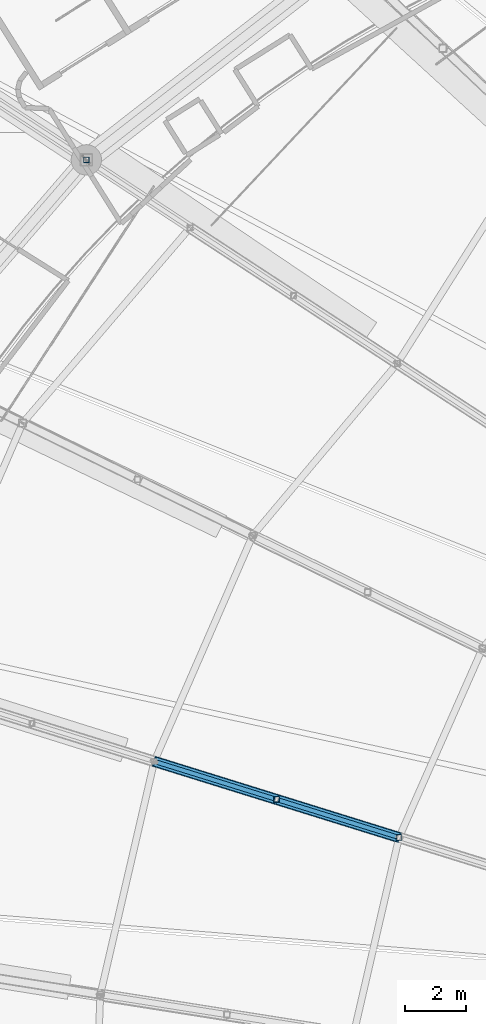
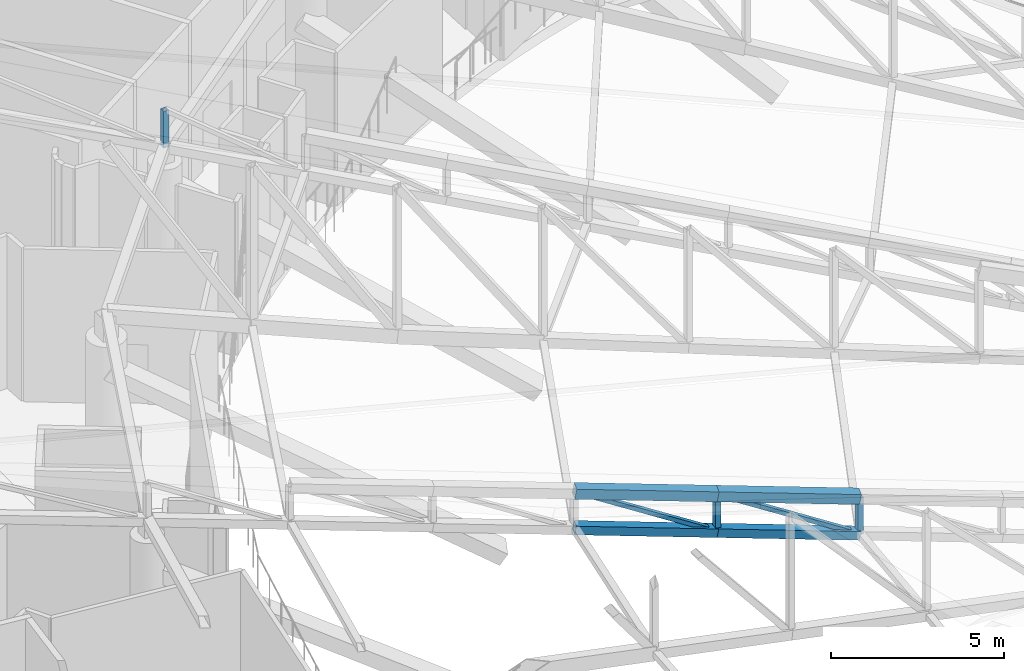
# One storey, part 131 of 344: 9 members.
"""IFC4 building model written with IfcOpenShell, lengths in metres."""

from ifc_helpers import new_model, si_unit, direction, frame, origin, origin_2d, place, context, subcontext, project, spatial, hollow_rectangle, extrude, material, material_profile, profile_set, type_object, element, save


model = new_model("IFC4")

# Units and contexts
model_context = context("Model", 3, precision=1e-05, world=origin(), true_north=direction((0.0, 1.0)))
body_context = subcontext(model_context, "Body", "Model", "MODEL_VIEW")
ifc_project = project(units=[si_unit("LENGTHUNIT", "METRE"), si_unit("AREAUNIT", "SQUARE_METRE"), si_unit("VOLUMEUNIT", "CUBIC_METRE"), si_unit("PLANEANGLEUNIT", "RADIAN"), si_unit("MASSUNIT", "GRAM", prefix="KILO")], contexts=[model_context])

# Site, building, storey
site_placement = place(None, origin())
site = spatial("IfcSite", under=ifc_project, at=site_placement, CompositionType="ELEMENT")
building_placement = place(site_placement, origin())
building = spatial("IfcBuilding", under=site, at=building_placement, Name="Meseta Stadium", CompositionType="ELEMENT")
storey_placement = place(building_placement, frame((0.0, 0.0, 24.0)))
storey = spatial("IfcBuildingStorey", under=building, at=storey_placement, Name="L04", CompositionType="ELEMENT", Elevation=24.0)

# Members
ifc_material_1 = material(Name="Steel S355", Category="steel")
ifc_material_profile_1 = material_profile(ifc_material_1, hollow_rectangle(XDim=0.139892578125, YDim=0.139892578125, WallThickness=0.0048828125, at=origin_2d()), Name="SHS 140x140x5")
ifc_profile_set_1 = profile_set([ifc_material_profile_1], Name="Steel S355")
member_type_1 = type_object("IfcMemberType", Name="SHS 140x140x5 diagonal", PredefinedType="BRACE", material=ifc_profile_set_1)
for number, where, z_axis, x_axis, name in (
    (1, (-62.010498046875, 56.7646484375, 2.763916015625), (-0.859278691546, 0.267243269939, 0.436143514142), (-0.296977513201, -0.954884472935, 0.0), "ROOF TRUSS RT-27 diagonal"),
    (2, (-66.042236328125, 58.0185546875, 3.51025390625), (-0.859290639384, 0.267194951752, 0.436149578498), (-0.296924788831, -0.954900869084, 0.0), "ROOF TRUSS RT-27 diagonal"),
):
    element("IfcMember", number, at=place(storey_placement, frame(where, z_axis=z_axis, x_axis=x_axis)), inside=storey, type_object=member_type_1, Name=name, PredefinedType="BRACE", context=body_context, shape_type="SweptSolid", body=[
        extrude(hollow_rectangle(XDim=0.139892578125, YDim=0.139892578125, WallThickness=0.0048828125, at=origin_2d()), origin(), (0.0, 0.0, 1.0), 4.69189453125),
    ])
ifc_material_2 = material(Name="Steel S355", Category="steel")
ifc_material_profile_2 = material_profile(ifc_material_2, hollow_rectangle(XDim=0.179931640625, YDim=0.179931640625, WallThickness=0.00634765625, at=origin_2d()), Name="SHS 180x180x6.3")
ifc_profile_set_2 = profile_set([ifc_material_profile_2], Name="Steel S355")
member_type_2 = type_object("IfcMemberType", Name="SHS 180x180x6.3 post", PredefinedType="POST", material=ifc_profile_set_2)
for number, where, z_axis, x_axis, name in (
    (3, (-72.31201171875, 79.091064453125, 6.501220703125), (0.0, 0.0, 1.0), (1.0, 0.0, 0.0), "ROOF TRUSS RT-25 post"),
    (4, (-62.010498046875, 56.7646484375, 2.763916015625), (0.0, 0.0, 1.0), (1.0, 0.0, 0.0), "ROOF TRUSS RT-27 post"),
    (5, (-66.042236328125, 58.0185546875, 3.51025390625), (0.0, 0.0, 1.0), (1.0, 0.0, 0.0), "ROOF TRUSS RT-27 post"),
):
    element("IfcMember", number, at=place(storey_placement, frame(where, z_axis=z_axis, x_axis=x_axis)), inside=storey, type_object=member_type_2, Name=name, PredefinedType="POST", context=body_context, shape_type="SweptSolid", body=[
        extrude(hollow_rectangle(XDim=0.179931640625, YDim=0.179931640625, WallThickness=0.00634765625, at=origin_2d()), origin(), (0.0, 0.0, 1.0), 1.300048828125),
    ])
ifc_material_3 = material(Name="Steel S355", Category="steel")
ifc_material_profile_3 = material_profile(ifc_material_3, hollow_rectangle(XDim=0.300048828125, YDim=0.300048828125, WallThickness=0.010009765625, at=origin_2d()), Name="SHS 300x300x10")
ifc_profile_set_3 = profile_set([ifc_material_profile_3], Name="Steel S355")
member_type_3 = type_object("IfcMemberType", Name="SHS 300x300x10 bottom chord", PredefinedType="CHORD", material=ifc_profile_set_3)
for number, where, z_axis, x_axis, name in (
    (6, (-62.010498046875, 56.7646484375, 2.763916015625), (-0.940307263038, 0.292443872046, 0.174065599074), (-0.296977513201, -0.954884472935, 0.0), "ROOF TRUSS RT-27 bottom chord"),
    (7, (-66.042236328125, 58.0185546875, 3.51025390625), (-0.940322919672, 0.292391800443, 0.174068497362), (-0.296924788831, -0.954900869084, 0.0), "ROOF TRUSS RT-27 bottom chord"),
):
    element("IfcMember", number, at=place(storey_placement, frame(where, z_axis=z_axis, x_axis=x_axis)), inside=storey, type_object=member_type_3, Name=name, PredefinedType="CHORD", context=body_context, shape_type="SweptSolid", body=[
        extrude(hollow_rectangle(XDim=0.300048828125, YDim=0.300048828125, WallThickness=0.010009765625, at=origin_2d()), origin(), (0.0, 0.0, 1.0), 4.28759765625),
    ])
ifc_material_4 = material(Name="Steel S355", Category="steel")
ifc_material_profile_4 = material_profile(ifc_material_4, hollow_rectangle(XDim=0.35009765625, YDim=0.35009765625, WallThickness=0.010009765625, at=origin_2d()), Name="SHS 350x350x10")
ifc_profile_set_4 = profile_set([ifc_material_profile_4], Name="Steel S355")
member_type_4 = type_object("IfcMemberType", Name="SHS 350x350x10 top chord", PredefinedType="CHORD", material=ifc_profile_set_4)
for number, where, z_axis, x_axis, name in (
    (8, (-62.010498046875, 56.7646484375, 4.06396484375), (-0.940307263038, 0.292443872046, 0.174065599074), (-0.296977513201, -0.954884472935, 0.0), "ROOF TRUSS RT-27 top chord"),
    (9, (-66.042236328125, 58.0185546875, 4.810302734375), (-0.940322919672, 0.292391800443, 0.174068497362), (-0.296924788831, -0.954900869084, 0.0), "ROOF TRUSS RT-27 top chord"),
):
    element("IfcMember", number, at=place(storey_placement, frame(where, z_axis=z_axis, x_axis=x_axis)), inside=storey, type_object=member_type_4, Name=name, PredefinedType="CHORD", context=body_context, shape_type="SweptSolid", body=[
        extrude(hollow_rectangle(XDim=0.35009765625, YDim=0.35009765625, WallThickness=0.010009765625, at=origin_2d()), origin(), (0.0, 0.0, 1.0), 4.28759765625),
    ])

save(model, "model.ifc")
